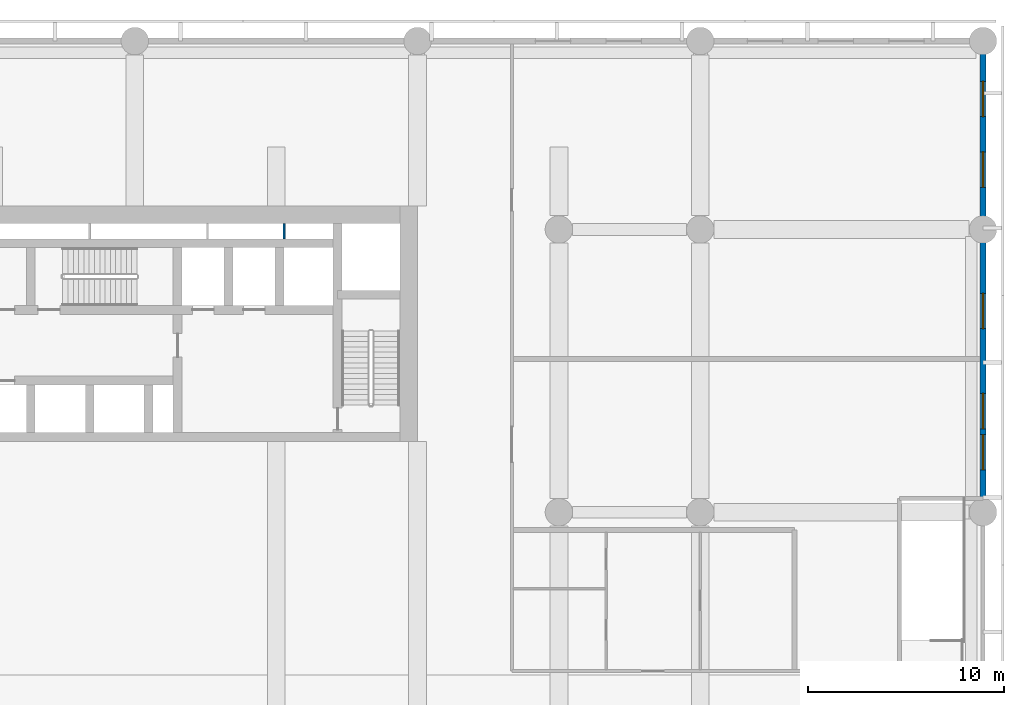
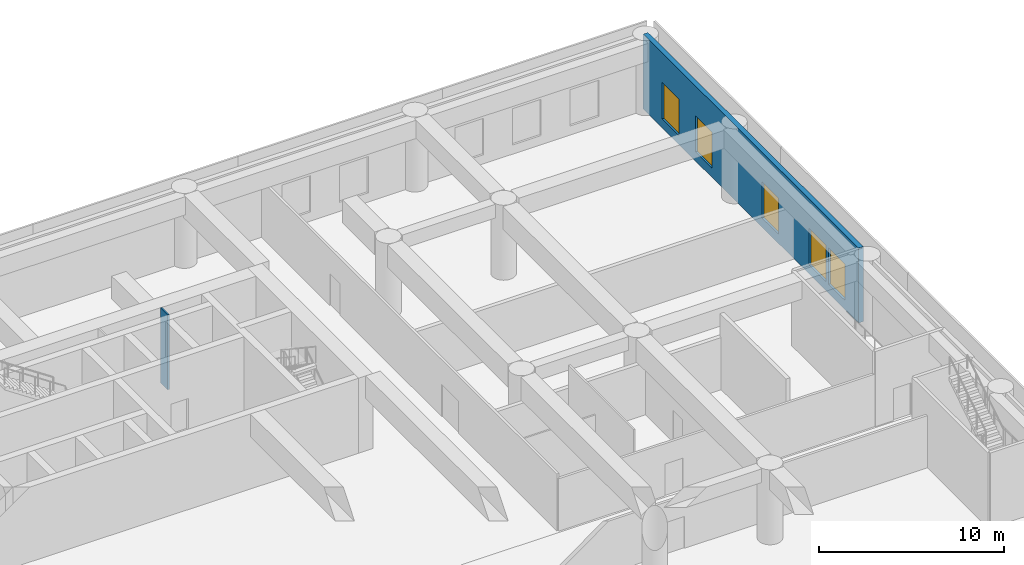
# One storey, part 9 of 24: 5 windows, 2 walls, 5 openings.
"""IFC4 building model written with IfcOpenShell, lengths in metres."""

from ifc_helpers import new_model, si_unit, direction, frame, frame_2d, origin, place, context, subcontext, project, spatial, rectangle, extrude, material, layer, layer_set, type_object, element, fill, save


model = new_model("IFC4")

# Units and contexts
model_context = context("Model", 3, precision=1e-05, world=origin(), true_north=direction((0.0, 1.0)))
body_context = subcontext(model_context, "Body", "Model", "MODEL_VIEW")
ifc_project = project(units=[si_unit("LENGTHUNIT", "METRE"), si_unit("AREAUNIT", "SQUARE_METRE"), si_unit("VOLUMEUNIT", "CUBIC_METRE"), si_unit("PLANEANGLEUNIT", "RADIAN"), si_unit("MASSUNIT", "GRAM", prefix="KILO")], contexts=[model_context])

# Site, building, storey
site_placement = place(None, origin())
site = spatial("IfcSite", under=ifc_project, at=site_placement, CompositionType="ELEMENT")
building_placement = place(site_placement, origin())
building = spatial("IfcBuilding", under=site, at=building_placement, Name="Saffron Iwan Residences", CompositionType="ELEMENT")
storey_placement = place(building_placement, frame((0.0, 0.0, 21.60009765625)))
storey = spatial("IfcBuildingStorey", under=building, at=storey_placement, Name="L04", CompositionType="ELEMENT", Elevation=21.60009765625)

# Wall, openings, windows
ifc_material_1 = material(Name="Precast concrete C40/50", Category="concrete")
ifc_layer_1 = layer(ifc_material_1, 0.300048828125)
ifc_layer_set_1 = layer_set([ifc_layer_1], Name="Precast concrete C40/50")
wall_type_1 = type_object("IfcWallType", Name="Podium external wall 300", PredefinedType="SOLIDWALL", material=ifc_layer_set_1)
wall_1_placement = place(storey_placement, frame((100.800048828125, 63.10009765625, 0.0), z_axis=(0.0, 0.0, 1.0), x_axis=(0.0, 1.0, 0.0)))
wall_1 = element("IfcWall", 1, at=wall_1_placement, inside=storey, type_object=wall_type_1, Name="W-L04-036", PredefinedType="SOLIDWALL", context=body_context, shape_type="SweptSolid", body=[
    extrude(rectangle(XDim=23.2998046875, YDim=0.300048828125, at=frame_2d((11.64990234375, 0.0))), origin(), (0.0, 0.0, 1.0), 4.949951171875),
])
opening_1_placement = place(wall_1_placement, frame((1.449951171875, 0.0, 0.60009765625)))
opening_1 = element("IfcOpeningElement", 2, at=opening_1_placement, cuts=wall_1, Name="Opening W7", PredefinedType="OPENING", context=body_context, shape_type="SweptSolid", body=[
    extrude(rectangle(XDim=1.800048828125, YDim=2.39990234375, at=frame_2d((0.89990234375, 1.199951171875))), frame((0.0, 0.16015625, 0.0), z_axis=(0.0, -1.0, 0.0), x_axis=(1.0, 0.0, 0.0)), (0.0, 0.0, 1.0), 0.320068359375),
])
opening_2_placement = place(wall_1_placement, frame((3.550048828125, 0.0, 0.60009765625)))
opening_2 = element("IfcOpeningElement", 3, at=opening_2_placement, cuts=wall_1, Name="Opening W7", PredefinedType="OPENING", context=body_context, shape_type="SweptSolid", body=[
    extrude(rectangle(XDim=1.800048828125, YDim=2.39990234375, at=frame_2d((0.89990234375, 1.199951171875))), frame((0.0, 0.16015625, 0.0), z_axis=(0.0, -1.0, 0.0), x_axis=(1.0, 0.0, 0.0)), (0.0, 0.0, 1.0), 0.320068359375),
])
opening_3_placement = place(wall_1_placement, frame((8.64990234375, 0.0, 0.60009765625)))
opening_3 = element("IfcOpeningElement", 4, at=opening_3_placement, cuts=wall_1, Name="Opening W7", PredefinedType="OPENING", context=body_context, shape_type="SweptSolid", body=[
    extrude(rectangle(XDim=1.800048828125, YDim=2.39990234375, at=frame_2d((0.89990234375, 1.199951171875))), frame((0.0, 0.16015625, 0.0), z_axis=(0.0, -1.0, 0.0), x_axis=(1.0, 0.0, 0.0)), (0.0, 0.0, 1.0), 0.320068359375),
])
opening_4_placement = place(wall_1_placement, frame((15.85009765625, 0.0, 0.60009765625)))
opening_4 = element("IfcOpeningElement", 5, at=opening_4_placement, cuts=wall_1, Name="Opening W7", PredefinedType="OPENING", context=body_context, shape_type="SweptSolid", body=[
    extrude(rectangle(XDim=1.800048828125, YDim=2.39990234375, at=frame_2d((0.89990234375, 1.199951171875))), frame((0.0, 0.16015625, 0.0), z_axis=(0.0, -1.0, 0.0), x_axis=(1.0, 0.0, 0.0)), (0.0, 0.0, 1.0), 0.320068359375),
])
opening_5_placement = place(wall_1_placement, frame((19.449951171875, 0.0, 0.60009765625)))
opening_5 = element("IfcOpeningElement", 6, at=opening_5_placement, cuts=wall_1, Name="Opening W7", PredefinedType="OPENING", context=body_context, shape_type="SweptSolid", body=[
    extrude(rectangle(XDim=1.800048828125, YDim=2.39990234375, at=frame_2d((0.89990234375, 1.199951171875))), frame((0.0, 0.16015625, 0.0), z_axis=(0.0, -1.0, 0.0), x_axis=(1.0, 0.0, 0.0)), (0.0, 0.0, 1.0), 0.320068359375),
])
ifc_material_2 = material(Name="Clear glass, laminated double glazed", Category="glass")
window_type = type_object("IfcWindowType", Name="WINDOW 1800 x 2400 PODIUM", PartitioningType="DOUBLE_PANEL_VERTICAL", PredefinedType="WINDOW", material=ifc_material_2)
window_1_placement = place(opening_1_placement, origin())
window_1 = element("IfcWindow", 7, at=window_1_placement, inside=storey, type_object=window_type, Name="Window L04 W-L04-036.0", OverallHeight=2.39990234375, OverallWidth=1.800048828125, PartitioningType="DOUBLE_PANEL_VERTICAL", PredefinedType="WINDOW", context=body_context, shape_type="SweptSolid", body=[
    extrude(rectangle(XDim=1.800048828125, YDim=2.39990234375, at=frame_2d((0.89990234375, 1.199951171875))), frame((0.0, 0.030029296875, 0.0), z_axis=(0.0, -1.0, 0.0), x_axis=(1.0, 0.0, 0.0)), (0.0, 0.0, 1.0), 0.06005859375),
])
fill(opening_1, window_1)
window_2_placement = place(opening_2_placement, origin())
window_2 = element("IfcWindow", 8, at=window_2_placement, inside=storey, type_object=window_type, Name="Window L04 W-L04-036.1", OverallHeight=2.39990234375, OverallWidth=1.800048828125, PartitioningType="DOUBLE_PANEL_VERTICAL", PredefinedType="WINDOW", context=body_context, shape_type="SweptSolid", body=[
    extrude(rectangle(XDim=1.800048828125, YDim=2.39990234375, at=frame_2d((0.89990234375, 1.199951171875))), frame((0.0, 0.030029296875, 0.0), z_axis=(0.0, -1.0, 0.0), x_axis=(1.0, 0.0, 0.0)), (0.0, 0.0, 1.0), 0.06005859375),
])
fill(opening_2, window_2)
window_3_placement = place(opening_3_placement, origin())
window_3 = element("IfcWindow", 9, at=window_3_placement, inside=storey, type_object=window_type, Name="Window L04 W-L04-036.2", OverallHeight=2.39990234375, OverallWidth=1.800048828125, PartitioningType="DOUBLE_PANEL_VERTICAL", PredefinedType="WINDOW", context=body_context, shape_type="SweptSolid", body=[
    extrude(rectangle(XDim=1.800048828125, YDim=2.39990234375, at=frame_2d((0.89990234375, 1.199951171875))), frame((0.0, 0.030029296875, 0.0), z_axis=(0.0, -1.0, 0.0), x_axis=(1.0, 0.0, 0.0)), (0.0, 0.0, 1.0), 0.06005859375),
])
fill(opening_3, window_3)
window_4_placement = place(opening_4_placement, origin())
window_4 = element("IfcWindow", 10, at=window_4_placement, inside=storey, type_object=window_type, Name="Window L04 W-L04-036.3", OverallHeight=2.39990234375, OverallWidth=1.800048828125, PartitioningType="DOUBLE_PANEL_VERTICAL", PredefinedType="WINDOW", context=body_context, shape_type="SweptSolid", body=[
    extrude(rectangle(XDim=1.800048828125, YDim=2.39990234375, at=frame_2d((0.89990234375, 1.199951171875))), frame((0.0, 0.030029296875, 0.0), z_axis=(0.0, -1.0, 0.0), x_axis=(1.0, 0.0, 0.0)), (0.0, 0.0, 1.0), 0.06005859375),
])
fill(opening_4, window_4)
window_5_placement = place(opening_5_placement, origin())
window_5 = element("IfcWindow", 11, at=window_5_placement, inside=storey, type_object=window_type, Name="Window L04 W-L04-036.4", OverallHeight=2.39990234375, OverallWidth=1.800048828125, PartitioningType="DOUBLE_PANEL_VERTICAL", PredefinedType="WINDOW", context=body_context, shape_type="SweptSolid", body=[
    extrude(rectangle(XDim=1.800048828125, YDim=2.39990234375, at=frame_2d((0.89990234375, 1.199951171875))), frame((0.0, 0.030029296875, 0.0), z_axis=(0.0, -1.0, 0.0), x_axis=(1.0, 0.0, 0.0)), (0.0, 0.0, 1.0), 0.06005859375),
])
fill(opening_5, window_5)

# Wall
ifc_material_3 = material(Name="Fire-rated plasterboard partition")
ifc_layer_2 = layer(ifc_material_3, 0.10009765625)
ifc_layer_set_2 = layer_set([ifc_layer_2], Name="Fire-rated plasterboard partition")
wall_type_2 = type_object("IfcWallType", Name="Riser partition 100", PredefinedType="PARTITIONING", material=ifc_layer_set_2)
wall_2_placement = place(storey_placement, frame((65.199951171875, 76.324951171875, 0.0), z_axis=(0.0, 0.0, 1.0), x_axis=(0.0, 1.0, 0.0)))
element("IfcWall", 12, at=wall_2_placement, inside=storey, type_object=wall_type_2, Name="Core partition P10", PredefinedType="PARTITIONING", context=body_context, shape_type="SweptSolid", body=[
    extrude(rectangle(XDim=0.775146484375, YDim=0.10009765625, at=frame_2d((0.3876953125, 0.0))), origin(), (0.0, 0.0, 1.0), 4.949951171875),
])

save(model, "model.ifc")
